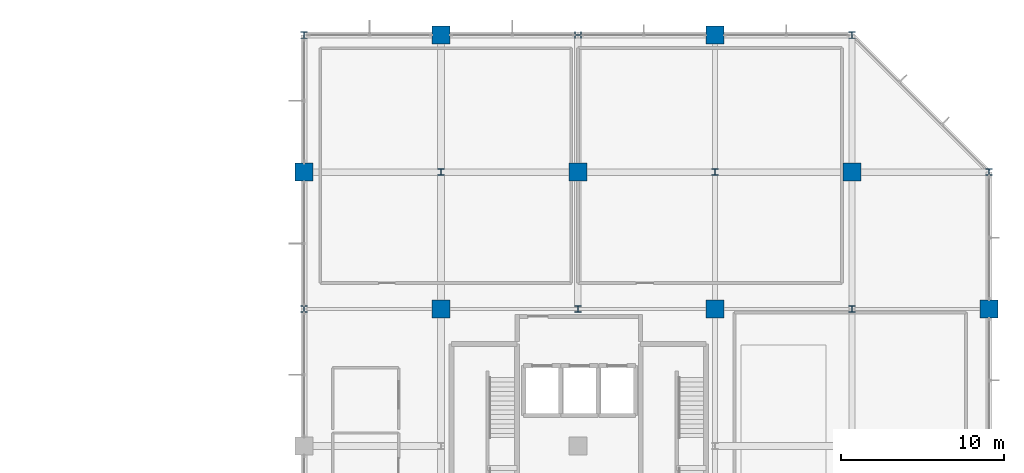
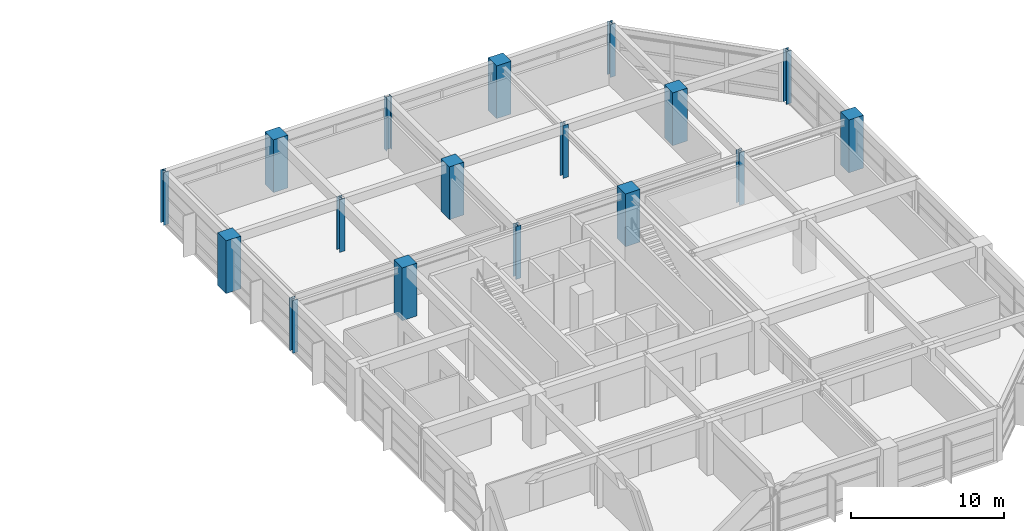
# One storey, part 3 of 19: 17 columns.
"""IFC4 building model written with IfcOpenShell, lengths in metres."""

from ifc_helpers import new_model, si_unit, direction, frame, origin, origin_2d, place, context, subcontext, project, spatial, rectangle, i_section, extrude, material, material_profile, profile_set, type_object, element, save


model = new_model("IFC4")

# Units and contexts
model_context = context("Model", 3, precision=1e-05, world=origin(), true_north=direction((0.0, 1.0)))
body_context = subcontext(model_context, "Body", "Model", "MODEL_VIEW")
ifc_project = project(units=[si_unit("LENGTHUNIT", "METRE"), si_unit("AREAUNIT", "SQUARE_METRE"), si_unit("VOLUMEUNIT", "CUBIC_METRE"), si_unit("PLANEANGLEUNIT", "RADIAN"), si_unit("MASSUNIT", "GRAM", prefix="KILO")], contexts=[model_context])

# Site, building, storey
site_placement = place(None, origin())
site = spatial("IfcSite", under=ifc_project, at=site_placement, CompositionType="ELEMENT")
building_placement = place(site_placement, origin())
building = spatial("IfcBuilding", under=site, at=building_placement, Name="Xuanlan Plaza Opera House", CompositionType="ELEMENT")
storey_placement = place(building_placement, frame((0.0, 0.0, 36.300048828125)))
storey = spatial("IfcBuildingStorey", under=building, at=storey_placement, Name="L08", CompositionType="ELEMENT", Elevation=36.300048828125)

# Columns
ifc_material_1 = material(Name="Concrete C50", Category="concrete")
ifc_material_profile_1 = material_profile(ifc_material_1, rectangle(XDim=1.10009765625, YDim=1.10009765625, at=origin_2d()), Name="RC-COL 1100x1100")
ifc_profile_set_1 = profile_set([ifc_material_profile_1], Name="Concrete C50")
column_type_1 = type_object("IfcColumnType", Name="STR-COL-C-03", PredefinedType="COLUMN", material=ifc_profile_set_1)
for number, where, z_axis, x_axis, name in (
    (1, (126.0, 75.60009765625, 0.0), (0.0, 0.0, 1.0), (1.0, 0.0, 0.0), "Column L08 16-J"),
    (2, (134.39990234375, 67.199951171875, 0.0), (0.0, 0.0, 1.0), (1.0, 0.0, 0.0), "Column L08 17-I"),
    (3, (134.39990234375, 84.0, 0.0), (0.0, 0.0, 1.0), (1.0, 0.0, 0.0), "Column L08 17-K"),
    (4, (142.800048828125, 75.60009765625, 0.0), (0.0, 0.0, 1.0), (1.0, 0.0, 0.0), "Column L08 18-J"),
    (5, (151.199951171875, 67.199951171875, 0.0), (0.0, 0.0, 1.0), (1.0, 0.0, 0.0), "Column L08 19-I"),
    (6, (151.199951171875, 84.0, 0.0), (0.0, 0.0, 1.0), (1.0, 0.0, 0.0), "Column L08 19-K"),
    (7, (159.60009765625, 75.60009765625, 0.0), (0.0, 0.0, 1.0), (1.0, 0.0, 0.0), "Column L08 20-J"),
    (8, (168.0, 67.199951171875, 0.0), (0.0, 0.0, 1.0), (1.0, 0.0, 0.0), "Column L08 21-I"),
):
    element("IfcColumn", number, at=place(storey_placement, frame(where, z_axis=z_axis, x_axis=x_axis)), inside=storey, type_object=column_type_1, Name=name, PredefinedType="COLUMN", context=body_context, shape_type="SweptSolid", body=[
        extrude(rectangle(XDim=1.10009765625, YDim=1.10009765625, at=origin_2d()), origin(), (0.0, 0.0, 1.0), 4.199951171875),
    ])
ifc_material_2 = material(Name="Steel Q355B", Category="steel")
ifc_material_profile_2 = material_profile(ifc_material_2, i_section(OverallWidth=0.39990234375, OverallDepth=0.39990234375, WebThickness=0.012939453125, FlangeThickness=0.02099609375, FilletRadius=0.02197265625, at=origin_2d()), Name="HW 400x400x13x21")
ifc_profile_set_2 = profile_set([ifc_material_profile_2], Name="Steel Q355B")
column_type_2 = type_object("IfcColumnType", Name="STR-COL-C-14", PredefinedType="COLUMN", material=ifc_profile_set_2)
for number, where, z_axis, x_axis, name in (
    (9, (126.0, 67.199951171875, 0.0), (0.0, 0.0, 1.0), (1.0, 0.0, 0.0), "Column L08 16-I"),
    (10, (126.0, 84.0, 0.0), (0.0, 0.0, 1.0), (1.0, 0.0, 0.0), "Column L08 16-K"),
    (11, (134.39990234375, 75.60009765625, 0.0), (0.0, 0.0, 1.0), (1.0, 0.0, 0.0), "Column L08 17-J"),
    (12, (142.800048828125, 67.199951171875, 0.0), (0.0, 0.0, 1.0), (1.0, 0.0, 0.0), "Column L08 18-I"),
    (13, (142.800048828125, 84.0, 0.0), (0.0, 0.0, 1.0), (0.0, 1.0, 0.0), "Column L08 18-K"),
    (14, (151.199951171875, 75.60009765625, 0.0), (0.0, 0.0, 1.0), (1.0, 0.0, 0.0), "Column L08 19-J"),
    (15, (159.60009765625, 67.199951171875, 0.0), (0.0, 0.0, 1.0), (1.0, 0.0, 0.0), "Column L08 20-I"),
    (16, (159.60009765625, 84.0, 0.0), (0.0, 0.0, 1.0), (1.0, 0.0, 0.0), "Column L08 20-K"),
    (17, (168.0, 75.60009765625, 0.0), (0.0, 0.0, 1.0), (1.0, 0.0, 0.0), "Column L08 21-J"),
):
    element("IfcColumn", number, at=place(storey_placement, frame(where, z_axis=z_axis, x_axis=x_axis)), inside=storey, type_object=column_type_2, Name=name, PredefinedType="COLUMN", context=body_context, shape_type="SweptSolid", body=[
        extrude(i_section(OverallWidth=0.39990234375, OverallDepth=0.39990234375, WebThickness=0.012939453125, FlangeThickness=0.02099609375, FilletRadius=0.02197265625, at=origin_2d()), origin(), (0.0, 0.0, 1.0), 4.199951171875),
    ])

save(model, "model.ifc")
